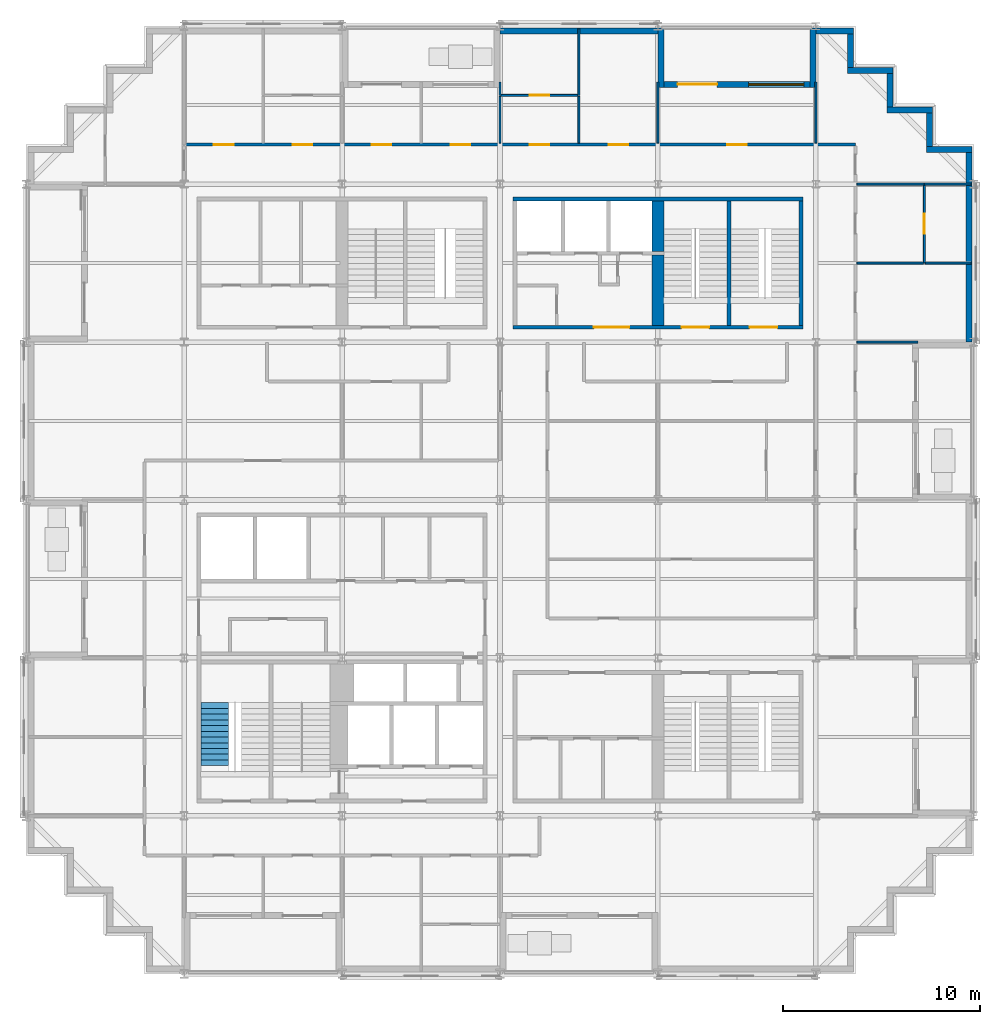
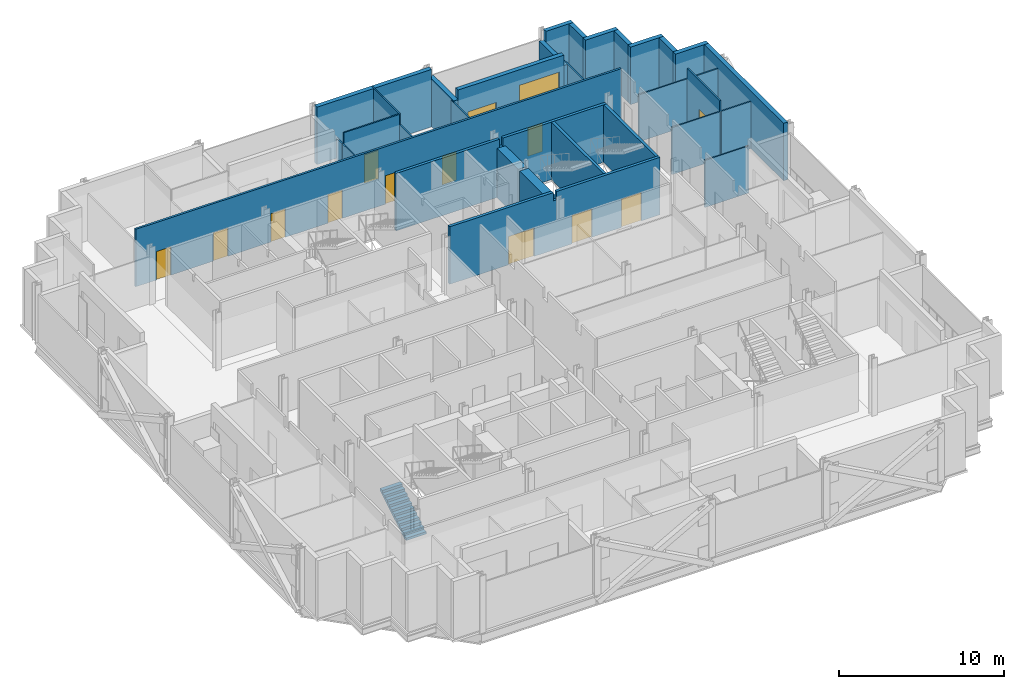
# One storey, part 11 of 15: 32 walls, 13 doors, 1 stair flight, 1 window, 14 openings, 1 element without a shape of its own.
"""IFC4 building model written with IfcOpenShell, lengths in metres."""

import ifcopenshell
import ifcopenshell.guid

model = None  # the IFC model being written
_history = None  # IfcOwnerHistory: only IFC2X3 demands one
_inside = {}  # id of a spatial element -> (the spatial element, [elements in it])
_under = {}  # id of a project, library or spatial element -> (it, [spatial elements below it])
_declared = {}  # id of a project -> (the project, [libraries it declares])
_typed = {}  # id of a type object -> (the type object, [elements of that type])
_made_of = {}  # id of a material, layer set ... -> (it, [elements and type objects made of it])


def new_model(schema):
    """Start an empty IFC model of exactly this schema.

    Asked for "IFC4X3", IfcOpenShell would pick the latest addendum, in which some entities
    have other attributes; the version numbers below select the first issue.
    IFC2X3 requires an IfcOwnerHistory on every rooted entity: one is made here for all.
    """
    global model, _history
    if schema == "IFC4X3":
        model = ifcopenshell.file(schema_version=(4, 3, 0, 0))
    else:
        model = ifcopenshell.file(schema=schema)
    _inside.clear()
    _under.clear()
    _declared.clear()
    _typed.clear()
    _made_of.clear()
    _history = None
    if model.schema == "IFC2X3":
        org = make("IfcOrganization", Name="unknown")
        user = make(
            "IfcPersonAndOrganization",
            ThePerson=make("IfcPerson", FamilyName="unknown"),
            TheOrganization=org,
        )
        app = make(
            "IfcApplication",
            ApplicationDeveloper=org,
            Version="unknown",
            ApplicationFullName="unknown",
            ApplicationIdentifier="unknown",
        )
        _history = make(
            "IfcOwnerHistory",
            OwningUser=user,
            OwningApplication=app,
            ChangeAction="ADDED",
            CreationDate=0,
        )
    return model


def make(cls, **values):
    """One entity of the class cls with the attributes given. An attribute that is None is left unset."""
    return model.create_entity(
        cls, **{name: value for name, value in values.items() if value is not None}
    )


def rooted(cls, **values):
    """An entity with a GlobalId (a new one), such as an element, a storey or a relation."""
    return make(cls, GlobalId=ifcopenshell.guid.new(), OwnerHistory=_history, **values)


def si_unit(unit_type, name, prefix=None):
    """IfcSIUnit, for example si_unit("LENGTHUNIT", "METRE", prefix="MILLI")."""
    return make("IfcSIUnit", UnitType=unit_type, Prefix=prefix, Name=name)


def assignment(units):
    """IfcUnitAssignment: the units of a project."""
    return None if units is None else make("IfcUnitAssignment", Units=units)


def point(xyz):
    """IfcCartesianPoint."""
    return None if xyz is None else make("IfcCartesianPoint", Coordinates=xyz)


def direction(xyz):
    """IfcDirection."""
    return None if xyz is None else make("IfcDirection", DirectionRatios=xyz)


def frame(location, z_axis=None, x_axis=None):
    """IfcAxis2Placement3D, a coordinate frame: its origin and axes. An axis left out is left unset."""
    return make(
        "IfcAxis2Placement3D",
        Location=point(location),
        Axis=direction(z_axis),
        RefDirection=direction(x_axis),
    )


def frame_2d(location, x_axis=None):
    """IfcAxis2Placement2D, a coordinate frame in the plane: its origin and x axis."""
    return make(
        "IfcAxis2Placement2D", Location=point(location), RefDirection=direction(x_axis)
    )


def origin():
    """The frame at (0, 0, 0) with its axes left unset."""
    return frame((0.0, 0.0, 0.0))


def place(relative_to, where):
    """IfcLocalPlacement: puts the frame where relative to a parent placement (None: the world)."""
    return make(
        "IfcLocalPlacement", PlacementRelTo=relative_to, RelativePlacement=where
    )


def context(
    kind, dimensions, precision=None, world=None, true_north=None, identifier=None
):
    """IfcGeometricRepresentationContext, for example the 3D "Model" context."""
    return make(
        "IfcGeometricRepresentationContext",
        ContextIdentifier=identifier,
        ContextType=kind,
        CoordinateSpaceDimension=dimensions,
        Precision=precision,
        WorldCoordinateSystem=world,
        TrueNorth=true_north,
    )


def subcontext(parent, identifier, kind, view, scale=None):
    """IfcGeometricRepresentationSubContext, for example "Body" below "Model"."""
    return make(
        "IfcGeometricRepresentationSubContext",
        ContextIdentifier=identifier,
        ContextType=kind,
        ParentContext=parent,
        TargetScale=scale,
        TargetView=view,
    )


def project(units=None, contexts=None):
    """IfcProject with its units and contexts."""
    return rooted(
        "IfcProject",
        Name="project",
        RepresentationContexts=contexts,
        UnitsInContext=assignment(units),
    )


def spatial(cls, under=None, at=None, **own):
    """A site, building, storey or space (cls), placed at a placement, below another one or the project."""
    s = rooted(cls, ObjectPlacement=at, **own)
    if under is not None:
        _under.setdefault(under.id(), (under, []))[1].append(s)
    return s


def polyline(points):
    """IfcPolyline through the points."""
    return make("IfcPolyline", Points=[point(p) for p in points])


def profile(cls, at=None, kind="AREA", **sizes):
    """A parametric profile (cls). Its sizes go by their IFC names, for example OverallWidth=200.0."""
    return make(cls, ProfileType=kind, Position=at, **sizes)


def rectangle(**sizes):
    """IfcRectangleProfileDef."""
    return profile("IfcRectangleProfileDef", **sizes)


def outline(outer, holes=None, kind="AREA"):
    """IfcArbitraryClosedProfileDef: a profile drawn as a closed curve; with holes, ...WithVoids."""
    if holes is None:
        return make("IfcArbitraryClosedProfileDef", ProfileType=kind, OuterCurve=outer)
    return make(
        "IfcArbitraryProfileDefWithVoids",
        ProfileType=kind,
        OuterCurve=outer,
        InnerCurves=holes,
    )


def extrude(swept, where, along, depth):
    """IfcExtrudedAreaSolid: the profile swept, set in the frame where, extruded along a direction by depth."""
    return make(
        "IfcExtrudedAreaSolid",
        SweptArea=swept,
        Position=where,
        ExtrudedDirection=direction(along),
        Depth=depth,
    )


def shape(context_of_items, identifier, shape_type, items):
    """IfcShapeRepresentation: the items that make up one representation, for example the "Body"."""
    return make(
        "IfcShapeRepresentation",
        ContextOfItems=context_of_items,
        RepresentationIdentifier=identifier,
        RepresentationType=shape_type,
        Items=items,
    )


def material(Name=None, Category=None):
    """IfcMaterial."""
    return make("IfcMaterial", Name=Name, Category=Category)


def layer(
    of_material, thickness, ventilated=None, Name=None, Category=None, Priority=None
):
    """IfcMaterialLayer: one layer of a wall or slab, of a material (None: an air gap)."""
    return make(
        "IfcMaterialLayer",
        Material=of_material,
        LayerThickness=thickness,
        IsVentilated=ventilated,
        Name=Name,
        Category=Category,
        Priority=Priority,
    )


def layer_set(layers, Name=None):
    """IfcMaterialLayerSet."""
    return make("IfcMaterialLayerSet", MaterialLayers=layers, LayerSetName=Name)


def made_of(thing, what):
    """Note that an element or type object is made of a material, layer set ...; save() writes the relation."""
    if what is not None:
        _made_of.setdefault(what.id(), (what, []))[1].append(thing)
    return thing


def type_object(cls, material=None, **own):
    """A type object (cls), such as IfcWallType, which elements share."""
    return made_of(rooted(cls, **own), material)


def element(
    cls,
    number,
    at=None,
    inside=None,
    cuts=None,
    type_object=None,
    material=None,
    context=None,
    identifier="Body",
    shape_type=None,
    held_by="IfcProductDefinitionShape",
    body=None,
    shapes=None,
    **own,
):
    """One element of the class cls, such as IfcWall. Its Tag is "e" and its number.

    at: its placement. inside: the storey or other place that contains it. cuts: it is an
    opening in that element (IfcRelVoidsElement). A single representation is given by context,
    identifier, shape_type and body (its items); several are given by shapes. held_by: the class
    of the entity that holds the representations. save() writes the other relations.
    """
    e = rooted(cls, Tag="e%d" % number, ObjectPlacement=at, **own)
    if body is not None:
        shapes = [shape(context, identifier, shape_type, body)]
    if shapes is not None:
        e.Representation = make(held_by, Representations=shapes)
    if inside is not None:
        _inside.setdefault(inside.id(), (inside, []))[1].append(e)
    if cuts is not None:
        rooted(
            "IfcRelVoidsElement", RelatingBuildingElement=cuts, RelatedOpeningElement=e
        )
    if type_object is not None:
        _typed.setdefault(type_object.id(), (type_object, []))[1].append(e)
    return made_of(e, material)


def fill(opening, filler):
    """IfcRelFillsElement: the door or window that sits in an opening."""
    return rooted(
        "IfcRelFillsElement",
        RelatingOpeningElement=opening,
        RelatedBuildingElement=filler,
    )


def aggregate(whole, parts):
    """IfcRelAggregates: a whole, such as a stair, and the parts it consists of."""
    return rooted("IfcRelAggregates", RelatingObject=whole, RelatedObjects=parts)


def save(model, path):
    """Write the relations noted so far, then the file.

    IfcRelAggregates (storeys below a building ...), IfcRelContainedInSpatialStructure (elements
    in a storey), IfcRelDefinesByType, IfcRelAssociatesMaterial and IfcRelDeclares: one each for
    every whole, place, type object, material and project.
    """
    for whole, parts in _under.values():
        aggregate(whole, parts)
    for where, things in _inside.values():
        rooted(
            "IfcRelContainedInSpatialStructure",
            RelatedElements=things,
            RelatingStructure=where,
        )
    for kind, things in _typed.values():
        rooted("IfcRelDefinesByType", RelatedObjects=things, RelatingType=kind)
    for what, things in _made_of.values():
        rooted("IfcRelAssociatesMaterial", RelatedObjects=things, RelatingMaterial=what)
    for by, libraries in _declared.values():
        rooted("IfcRelDeclares", RelatingContext=by, RelatedDefinitions=libraries)
    model.write(path)


model = new_model("IFC4")

# Units and contexts
model_context = context("Model", 3, precision=1e-05, world=origin(), true_north=direction((0.0, 1.0)))
body_context = subcontext(model_context, "Body", "Model", "MODEL_VIEW")
ifc_project = project(units=[si_unit("LENGTHUNIT", "METRE"), si_unit("AREAUNIT", "SQUARE_METRE"), si_unit("VOLUMEUNIT", "CUBIC_METRE"), si_unit("PLANEANGLEUNIT", "RADIAN"), si_unit("MASSUNIT", "GRAM", prefix="KILO")], contexts=[model_context])

# Site, building, storey
site_placement = place(None, origin())
site = spatial("IfcSite", under=ifc_project, at=site_placement, CompositionType="ELEMENT")
building_placement = place(site_placement, origin())
building = spatial("IfcBuilding", under=site, at=building_placement, Name="Immortelle Media Tower", CompositionType="ELEMENT")
storey_placement = place(building_placement, frame((0.0, 0.0, 70.0)))
storey = spatial("IfcBuildingStorey", under=building, at=storey_placement, Name="L12", CompositionType="ELEMENT", Elevation=70.0)

# Wall, openings, doors
ifc_material_1 = material(Name="Fire-rated gypsum board", Category="gypsum")
ifc_layer_1 = layer(ifc_material_1, 0.012451171875)
ifc_material_2 = material(Name="Steel ASTM A653 SS Gr 50 stud frame with mineral wool", Category="steel")
ifc_layer_2 = layer(ifc_material_2, 0.125)
ifc_layer_3 = layer(ifc_material_1, 0.012451171875)
ifc_layer_set_1 = layer_set([ifc_layer_1, ifc_layer_2, ifc_layer_3], Name="Steel ASTM A653 SS Gr 50 stud frame with mineral wool")
wall_type_1 = type_object("IfcWallType", Name="Corridor wall 150", PredefinedType="PARTITIONING", material=ifc_layer_set_1)
wall_1_placement = place(storey_placement, frame((8.050048828125, 42.0, 0.0), z_axis=(0.0, 0.0, 1.0), x_axis=(1.0, 0.0, 0.0)))
wall_1 = element("IfcWall", 1, at=wall_1_placement, inside=storey, type_object=wall_type_1, Name="Partition L12-055", PredefinedType="PARTITIONING", context=body_context, shape_type="SweptSolid", body=[
    extrude(rectangle(XDim=33.949951171875, YDim=0.14990234375, at=frame_2d((16.97509765625, 0.0))), origin(), (0.0, 0.0, 1.0), 4.25),
])
opening_1_placement = place(wall_1_placement, frame((9.449951171875, 0.0, 0.0)))
opening_1 = element("IfcOpeningElement", 2, at=opening_1_placement, cuts=wall_1, Name="Opening N3-F032", PredefinedType="OPENING", context=body_context, shape_type="SweptSolid", body=[
    extrude(rectangle(XDim=1.0, YDim=2.10009765625, at=frame_2d((0.5, 1.050048828125))), frame((0.0, 0.0849609375, 0.0), z_axis=(0.0, -1.0, 0.0), x_axis=(1.0, 0.0, 0.0)), (0.0, 0.0, 1.0), 0.169921875),
])
opening_2_placement = place(wall_1_placement, frame((13.449951171875, 0.0, 0.0)))
opening_2 = element("IfcOpeningElement", 3, at=opening_2_placement, cuts=wall_1, Name="Opening N3-F033", PredefinedType="OPENING", context=body_context, shape_type="SweptSolid", body=[
    extrude(rectangle(XDim=1.0, YDim=2.10009765625, at=frame_2d((0.5, 1.050048828125))), frame((0.0, 0.0849609375, 0.0), z_axis=(0.0, -1.0, 0.0), x_axis=(1.0, 0.0, 0.0)), (0.0, 0.0, 1.0), 0.169921875),
])
opening_3_placement = place(wall_1_placement, frame((27.449951171875, 0.0, 0.0)))
opening_3 = element("IfcOpeningElement", 4, at=opening_3_placement, cuts=wall_1, Name="Opening N3-F034", PredefinedType="OPENING", context=body_context, shape_type="SweptSolid", body=[
    extrude(rectangle(XDim=1.0, YDim=2.10009765625, at=frame_2d((0.5, 1.050048828125))), frame((0.0, 0.0849609375, 0.0), z_axis=(0.0, -1.0, 0.0), x_axis=(1.0, 0.0, 0.0)), (0.0, 0.0, 1.0), 0.169921875),
])
opening_4_placement = place(wall_1_placement, frame((1.449951171875, 0.0, 0.0)))
opening_4 = element("IfcOpeningElement", 5, at=opening_4_placement, cuts=wall_1, Name="Opening N3-F035", PredefinedType="OPENING", context=body_context, shape_type="SweptSolid", body=[
    extrude(rectangle(XDim=1.0, YDim=2.10009765625, at=frame_2d((0.5, 1.050048828125))), frame((0.0, 0.0849609375, 0.0), z_axis=(0.0, -1.0, 0.0), x_axis=(1.0, 0.0, 0.0)), (0.0, 0.0, 1.0), 0.169921875),
])
opening_5_placement = place(wall_1_placement, frame((5.449951171875, 0.0, 0.0)))
opening_5 = element("IfcOpeningElement", 6, at=opening_5_placement, cuts=wall_1, Name="Opening N3-F036", PredefinedType="OPENING", context=body_context, shape_type="SweptSolid", body=[
    extrude(rectangle(XDim=1.0, YDim=2.10009765625, at=frame_2d((0.5, 1.050048828125))), frame((0.0, 0.0849609375, 0.0), z_axis=(0.0, -1.0, 0.0), x_axis=(1.0, 0.0, 0.0)), (0.0, 0.0, 1.0), 0.169921875),
])
opening_6_placement = place(wall_1_placement, frame((17.449951171875, 0.0, 0.0)))
opening_6 = element("IfcOpeningElement", 7, at=opening_6_placement, cuts=wall_1, Name="Opening N3-F038", PredefinedType="OPENING", context=body_context, shape_type="SweptSolid", body=[
    extrude(rectangle(XDim=1.0, YDim=2.10009765625, at=frame_2d((0.5, 1.050048828125))), frame((0.0, 0.0849609375, 0.0), z_axis=(0.0, -1.0, 0.0), x_axis=(1.0, 0.0, 0.0)), (0.0, 0.0, 1.0), 0.169921875),
])
opening_7_placement = place(wall_1_placement, frame((21.449951171875, 0.0, 0.0)))
opening_7 = element("IfcOpeningElement", 8, at=opening_7_placement, cuts=wall_1, Name="Opening N3-F040", PredefinedType="OPENING", context=body_context, shape_type="SweptSolid", body=[
    extrude(rectangle(XDim=1.0, YDim=2.10009765625, at=frame_2d((0.5, 1.050048828125))), frame((0.0, 0.0849609375, 0.0), z_axis=(0.0, -1.0, 0.0), x_axis=(1.0, 0.0, 0.0)), (0.0, 0.0, 1.0), 0.169921875),
])
ifc_material_3 = material(Name="Timber veneered door leaf, galvanised steel frame ASTM A653", Category="steel")
door_type_1 = type_object("IfcDoorType", Name="Room door 1000 x 2100", OperationType="NOTDEFINED", PredefinedType="DOOR", material=ifc_material_3)
door_1_placement = place(opening_1_placement, origin())
door_1 = element("IfcDoor", 9, at=door_1_placement, inside=storey, type_object=door_type_1, Name="Door N3-F032", OperationType="SINGLE_SWING_LEFT", OverallHeight=2.10009765625, OverallWidth=1.0, PredefinedType="DOOR", context=body_context, shape_type="SweptSolid", body=[
    extrude(rectangle(XDim=1.0, YDim=2.10009765625, at=frame_2d((0.5, 1.050048828125))), frame((0.0, 0.02490234375, 0.0), z_axis=(0.0, -1.0, 0.0), x_axis=(1.0, 0.0, 0.0)), (0.0, 0.0, 1.0), 0.050048828125),
])
fill(opening_1, door_1)
door_2_placement = place(opening_2_placement, origin())
door_2 = element("IfcDoor", 10, at=door_2_placement, inside=storey, type_object=door_type_1, Name="Door N3-F033", OperationType="SINGLE_SWING_LEFT", OverallHeight=2.10009765625, OverallWidth=1.0, PredefinedType="DOOR", context=body_context, shape_type="SweptSolid", body=[
    extrude(rectangle(XDim=1.0, YDim=2.10009765625, at=frame_2d((0.5, 1.050048828125))), frame((0.0, 0.02490234375, 0.0), z_axis=(0.0, -1.0, 0.0), x_axis=(1.0, 0.0, 0.0)), (0.0, 0.0, 1.0), 0.050048828125),
])
fill(opening_2, door_2)
door_3_placement = place(opening_3_placement, origin())
door_3 = element("IfcDoor", 11, at=door_3_placement, inside=storey, type_object=door_type_1, Name="Door N3-F034", OperationType="SINGLE_SWING_RIGHT", OverallHeight=2.10009765625, OverallWidth=1.0, PredefinedType="DOOR", context=body_context, shape_type="SweptSolid", body=[
    extrude(rectangle(XDim=1.0, YDim=2.10009765625, at=frame_2d((0.5, 1.050048828125))), frame((0.0, 0.02490234375, 0.0), z_axis=(0.0, -1.0, 0.0), x_axis=(1.0, 0.0, 0.0)), (0.0, 0.0, 1.0), 0.050048828125),
])
fill(opening_3, door_3)
door_4_placement = place(opening_4_placement, origin())
door_4 = element("IfcDoor", 12, at=door_4_placement, inside=storey, type_object=door_type_1, Name="Door N3-F035", OperationType="SINGLE_SWING_LEFT", OverallHeight=2.10009765625, OverallWidth=1.0, PredefinedType="DOOR", context=body_context, shape_type="SweptSolid", body=[
    extrude(rectangle(XDim=1.0, YDim=2.10009765625, at=frame_2d((0.5, 1.050048828125))), frame((0.0, 0.02490234375, 0.0), z_axis=(0.0, -1.0, 0.0), x_axis=(1.0, 0.0, 0.0)), (0.0, 0.0, 1.0), 0.050048828125),
])
fill(opening_4, door_4)
door_5_placement = place(opening_5_placement, origin())
door_5 = element("IfcDoor", 13, at=door_5_placement, inside=storey, type_object=door_type_1, Name="Door N3-F036", OperationType="SINGLE_SWING_LEFT", OverallHeight=2.10009765625, OverallWidth=1.0, PredefinedType="DOOR", context=body_context, shape_type="SweptSolid", body=[
    extrude(rectangle(XDim=1.0, YDim=2.10009765625, at=frame_2d((0.5, 1.050048828125))), frame((0.0, 0.02490234375, 0.0), z_axis=(0.0, -1.0, 0.0), x_axis=(1.0, 0.0, 0.0)), (0.0, 0.0, 1.0), 0.050048828125),
])
fill(opening_5, door_5)
door_6_placement = place(opening_6_placement, origin())
door_6 = element("IfcDoor", 14, at=door_6_placement, inside=storey, type_object=door_type_1, Name="Door N3-F038", OperationType="SINGLE_SWING_LEFT", OverallHeight=2.10009765625, OverallWidth=1.0, PredefinedType="DOOR", context=body_context, shape_type="SweptSolid", body=[
    extrude(rectangle(XDim=1.0, YDim=2.10009765625, at=frame_2d((0.5, 1.050048828125))), frame((0.0, 0.02490234375, 0.0), z_axis=(0.0, -1.0, 0.0), x_axis=(1.0, 0.0, 0.0)), (0.0, 0.0, 1.0), 0.050048828125),
])
fill(opening_6, door_6)
door_7_placement = place(opening_7_placement, origin())
door_7 = element("IfcDoor", 15, at=door_7_placement, inside=storey, type_object=door_type_1, Name="Door N3-F040", OperationType="SINGLE_SWING_RIGHT", OverallHeight=2.10009765625, OverallWidth=1.0, PredefinedType="DOOR", context=body_context, shape_type="SweptSolid", body=[
    extrude(rectangle(XDim=1.0, YDim=2.10009765625, at=frame_2d((0.5, 1.050048828125))), frame((0.0, 0.02490234375, 0.0), z_axis=(0.0, -1.0, 0.0), x_axis=(1.0, 0.0, 0.0)), (0.0, 0.0, 1.0), 0.050048828125),
])
fill(opening_7, door_7)

# Walls
ifc_material_4 = material(Name="Pale aluminium cladding panel", Category="aluminium")
ifc_layer_4 = layer(ifc_material_4, 0.030029296875)
ifc_layer_5 = layer(ifc_material_2, 0.257568359375)
ifc_material_5 = material(Name="Moisture-resistant gypsum board", Category="gypsum")
ifc_layer_6 = layer(ifc_material_5, 0.012451171875)
ifc_layer_set_2 = layer_set([ifc_layer_4, ifc_layer_5, ifc_layer_6], Name="Steel ASTM A653 SS Gr 50 stud frame with mineral wool")
wall_type_2 = type_object("IfcWallType", Name="Facade wall 300", PredefinedType="SOLIDWALL", material=ifc_layer_set_2)
wall_2_placement = place(storey_placement, frame((47.75, 32.0, 0.0), z_axis=(0.0, 0.0, 1.0), x_axis=(0.0, 1.0, 0.0)))
element("IfcWall", 16, at=wall_2_placement, inside=storey, type_object=wall_type_2, Name="Facade wall L12 E14", PredefinedType="SOLIDWALL", context=body_context, shape_type="SweptSolid", body=[
    extrude(rectangle(XDim=9.60009765625, YDim=0.300048828125, at=frame_2d((4.800048828125, 0.0))), origin(), (0.0, 0.0, 1.0), 4.25),
])
wall_3_placement = place(storey_placement, frame((47.89990234375, 41.75, 0.0), z_axis=(0.0, 0.0, 1.0), x_axis=(-1.0, 0.0, 0.0)))
element("IfcWall", 17, at=wall_3_placement, inside=storey, type_object=wall_type_2, Name="Facade wall L12 N15", PredefinedType="SOLIDWALL", context=body_context, shape_type="SweptSolid", body=[
    extrude(rectangle(XDim=2.2998046875, YDim=0.300048828125, at=frame_2d((1.14990234375, 0.0))), origin(), (0.0, 0.0, 1.0), 4.25),
])
wall_4_placement = place(storey_placement, frame((45.75, 41.89990234375, 0.0), z_axis=(0.0, 0.0, 1.0), x_axis=(0.0, 1.0, 0.0)))
element("IfcWall", 18, at=wall_4_placement, inside=storey, type_object=wall_type_2, Name="Facade wall L12 E16", PredefinedType="SOLIDWALL", context=body_context, shape_type="SweptSolid", body=[
    extrude(rectangle(XDim=1.7001953125, YDim=0.300048828125, at=frame_2d((0.85009765625, 0.0))), origin(), (0.0, 0.0, 1.0), 4.25),
])
wall_5_placement = place(storey_placement, frame((45.89990234375, 43.75, 0.0), z_axis=(0.0, 0.0, 1.0), x_axis=(-1.0, 0.0, 0.0)))
element("IfcWall", 19, at=wall_5_placement, inside=storey, type_object=wall_type_2, Name="Facade wall L12 N17", PredefinedType="SOLIDWALL", context=body_context, shape_type="SweptSolid", body=[
    extrude(rectangle(XDim=2.2998046875, YDim=0.300048828125, at=frame_2d((1.14990234375, 0.0))), origin(), (0.0, 0.0, 1.0), 4.25),
])
wall_6_placement = place(storey_placement, frame((43.75, 43.89990234375, 0.0), z_axis=(0.0, 0.0, 1.0), x_axis=(0.0, 1.0, 0.0)))
element("IfcWall", 20, at=wall_6_placement, inside=storey, type_object=wall_type_2, Name="Facade wall L12 E18", PredefinedType="SOLIDWALL", context=body_context, shape_type="SweptSolid", body=[
    extrude(rectangle(XDim=1.7001953125, YDim=0.300048828125, at=frame_2d((0.85009765625, 0.0))), origin(), (0.0, 0.0, 1.0), 4.25),
])
wall_7_placement = place(storey_placement, frame((43.89990234375, 45.75, 0.0), z_axis=(0.0, 0.0, 1.0), x_axis=(-1.0, 0.0, 0.0)))
element("IfcWall", 21, at=wall_7_placement, inside=storey, type_object=wall_type_2, Name="Facade wall L12 N19", PredefinedType="SOLIDWALL", context=body_context, shape_type="SweptSolid", body=[
    extrude(rectangle(XDim=2.2998046875, YDim=0.300048828125, at=frame_2d((1.14990234375, 0.0))), origin(), (0.0, 0.0, 1.0), 4.25),
])
wall_8_placement = place(storey_placement, frame((41.75, 45.89990234375, 0.0), z_axis=(0.0, 0.0, 1.0), x_axis=(0.0, 1.0, 0.0)))
element("IfcWall", 22, at=wall_8_placement, inside=storey, type_object=wall_type_2, Name="Facade wall L12 E20", PredefinedType="SOLIDWALL", context=body_context, shape_type="SweptSolid", body=[
    extrude(rectangle(XDim=1.7001953125, YDim=0.300048828125, at=frame_2d((0.85009765625, 0.0))), origin(), (0.0, 0.0, 1.0), 4.25),
])
wall_9_placement = place(storey_placement, frame((41.89990234375, 47.75, 0.0), z_axis=(0.0, 0.0, 1.0), x_axis=(-1.0, 0.0, 0.0)))
element("IfcWall", 23, at=wall_9_placement, inside=storey, type_object=wall_type_2, Name="Facade wall L12 N21", PredefinedType="SOLIDWALL", context=body_context, shape_type="SweptSolid", body=[
    extrude(rectangle(XDim=1.89990234375, YDim=0.300048828125, at=frame_2d((0.949951171875, 0.0))), origin(), (0.0, 0.0, 1.0), 4.25),
])

# Wall, openings, door, window
wall_10_placement = place(storey_placement, frame((39.699951171875, 45.050048828125, 0.0), z_axis=(0.0, 0.0, 1.0), x_axis=(-1.0, 0.0, 0.0)))
wall_10 = element("IfcWall", 24, at=wall_10_placement, inside=storey, type_object=wall_type_2, Name="Loggia wall L12 N21", PredefinedType="SOLIDWALL", context=body_context, shape_type="SweptSolid", body=[
    extrude(rectangle(XDim=7.39990234375, YDim=0.300048828125, at=frame_2d((3.699951171875, 0.0))), origin(), (0.0, 0.0, 1.0), 4.25),
])
opening_8_placement = place(wall_10_placement, frame((0.300048828125, 0.0, 0.89990234375)))
opening_8 = element("IfcOpeningElement", 25, at=opening_8_placement, cuts=wall_10, Name="Opening W1", PredefinedType="OPENING", context=body_context, shape_type="SweptSolid", body=[
    extrude(rectangle(XDim=2.800048828125, YDim=2.199951171875, at=frame_2d((1.39990234375, 1.10009765625))), frame((0.0, 0.159912109375, 0.0), z_axis=(0.0, -1.0, 0.0), x_axis=(1.0, 0.0, 0.0)), (0.0, 0.0, 1.0), 0.320068359375),
])
opening_9_placement = place(wall_10_placement, frame((4.699951171875, 0.0, 0.0)))
opening_9 = element("IfcOpeningElement", 26, at=opening_9_placement, cuts=wall_10, Name="Opening N3-E007", PredefinedType="OPENING", context=body_context, shape_type="SweptSolid", body=[
    extrude(rectangle(XDim=2.0, YDim=2.39990234375, at=frame_2d((1.0, 1.199951171875))), frame((0.0, 0.159912109375, 0.0), z_axis=(0.0, -1.0, 0.0), x_axis=(1.0, 0.0, 0.0)), (0.0, 0.0, 1.0), 0.320068359375),
])
ifc_material_6 = material(Name="Aluminium frame, glazed leaves", Category="aluminium")
door_type_2 = type_object("IfcDoorType", Name="Loggia door 2000 x 2400", OperationType="DOUBLE_DOOR_SINGLE_SWING", PredefinedType="DOOR", material=ifc_material_6)
door_8_placement = place(opening_9_placement, origin())
door_8 = element("IfcDoor", 27, at=door_8_placement, inside=storey, type_object=door_type_2, Name="Door N3-E007", OperationType="DOUBLE_DOOR_SINGLE_SWING", OverallHeight=2.39990234375, OverallWidth=2.0, PredefinedType="DOOR", context=body_context, shape_type="SweptSolid", body=[
    extrude(rectangle(XDim=2.0, YDim=2.39990234375, at=frame_2d((1.0, 1.199951171875))), frame((0.0, 0.02490234375, 0.0), z_axis=(0.0, -1.0, 0.0), x_axis=(1.0, 0.0, 0.0)), (0.0, 0.0, 1.0), 0.050048828125),
])
fill(opening_9, door_8)
ifc_material_7 = material(Name="Aluminium frame", Category="aluminium")
window_type = type_object("IfcWindowType", Name="Window 2800 x 2200", PartitioningType="SINGLE_PANEL", PredefinedType="WINDOW", material=ifc_material_7)
window_placement = place(opening_8_placement, origin())
window = element("IfcWindow", 28, at=window_placement, inside=storey, type_object=window_type, Name="Window L12 L12-R21-B0", OverallHeight=2.199951171875, OverallWidth=2.800048828125, PartitioningType="SINGLE_PANEL", PredefinedType="WINDOW", context=body_context, shape_type="SweptSolid", body=[
    extrude(rectangle(XDim=2.800048828125, YDim=2.199951171875, at=frame_2d((1.39990234375, 1.10009765625))), frame((0.0, 0.030029296875, 0.0), z_axis=(0.0, -1.0, 0.0), x_axis=(1.0, 0.0, 0.0)), (0.0, 0.0, 1.0), 0.06005859375),
])
fill(opening_8, window)

# Walls
wall_11_placement = place(storey_placement, frame((39.85009765625, 47.89990234375, 0.0), z_axis=(0.0, 0.0, 1.0), x_axis=(0.0, -1.0, 0.0)))
element("IfcWall", 29, at=wall_11_placement, inside=storey, type_object=wall_type_2, Name="Loggia cheek wall L12 N", PredefinedType="SOLIDWALL", context=body_context, shape_type="SweptSolid", body=[
    extrude(rectangle(XDim=3.0, YDim=0.300048828125, at=frame_2d((1.5, 0.0))), origin(), (0.0, 0.0, 1.0), 3.468994140625),
])
wall_12_placement = place(storey_placement, frame((32.14990234375, 47.89990234375, 0.0), z_axis=(0.0, 0.0, 1.0), x_axis=(0.0, -1.0, 0.0)))
element("IfcWall", 30, at=wall_12_placement, inside=storey, type_object=wall_type_2, Name="Loggia cheek wall L12 N", PredefinedType="SOLIDWALL", context=body_context, shape_type="SweptSolid", body=[
    extrude(rectangle(XDim=3.0, YDim=0.300048828125, at=frame_2d((1.5, 0.0))), origin(), (0.0, 0.0, 1.0), 3.555908203125),
])
wall_13_placement = place(storey_placement, frame((32.0, 47.75, 0.0), z_axis=(0.0, 0.0, 1.0), x_axis=(-1.0, 0.0, 0.0)))
element("IfcWall", 31, at=wall_13_placement, inside=storey, type_object=wall_type_2, Name="Facade wall L12 N21", PredefinedType="SOLIDWALL", context=body_context, shape_type="SweptSolid", body=[
    extrude(rectangle(XDim=8.0, YDim=0.300048828125, at=frame_2d((4.0, 0.0))), origin(), (0.0, 0.0, 1.0), 4.25),
])
ifc_material_8 = material(Name="Gypsum board", Category="gypsum")
ifc_layer_7 = layer(ifc_material_8, 0.012451171875)
ifc_layer_8 = layer(ifc_material_2, 0.074951171875)
ifc_layer_9 = layer(ifc_material_8, 0.012451171875)
ifc_layer_set_3 = layer_set([ifc_layer_7, ifc_layer_8, ifc_layer_9], Name="Steel ASTM A653 SS Gr 50 stud frame with mineral wool")
wall_type_3 = type_object("IfcWallType", Name="Partition 100", PredefinedType="PARTITIONING", material=ifc_layer_set_3)
wall_14_placement = place(storey_placement, frame((42.074951171875, 32.0, 0.0), z_axis=(0.0, 0.0, 1.0), x_axis=(1.0, 0.0, 0.0)))
element("IfcWall", 32, at=wall_14_placement, inside=storey, type_object=wall_type_3, Name="Partition L12-045", PredefinedType="PARTITIONING", context=body_context, shape_type="SweptSolid", body=[
    extrude(rectangle(XDim=3.094970703125, YDim=0.10009765625, at=frame_2d((1.54736328125, 0.0))), origin(), (0.0, 0.0, 1.0), 3.469970703125),
])
wall_15_placement = place(storey_placement, frame((42.074951171875, 36.0, 0.0), z_axis=(0.0, 0.0, 1.0), x_axis=(1.0, 0.0, 0.0)))
element("IfcWall", 33, at=wall_15_placement, inside=storey, type_object=wall_type_3, Name="Partition L12-046", PredefinedType="PARTITIONING", context=body_context, shape_type="SweptSolid", body=[
    extrude(rectangle(XDim=3.375, YDim=0.10009765625, at=frame_2d((1.6875, 0.0))), origin(), (0.0, 0.0, 1.0), 3.469970703125),
])
wall_16_placement = place(storey_placement, frame((45.550048828125, 36.0, 0.0), z_axis=(0.0, 0.0, 1.0), x_axis=(1.0, 0.0, 0.0)))
element("IfcWall", 34, at=wall_16_placement, inside=storey, type_object=wall_type_3, Name="Partition L12-047", PredefinedType="PARTITIONING", context=body_context, shape_type="SweptSolid", body=[
    extrude(rectangle(XDim=2.320068359375, YDim=0.10009765625, at=frame_2d((1.16015625, 0.0))), origin(), (0.0, 0.0, 1.0), 3.469970703125),
])

# Wall, opening, door
wall_17_placement = place(storey_placement, frame((45.5, 36.0, 0.0), z_axis=(0.0, 0.0, 1.0), x_axis=(0.0, 1.0, 0.0)))
wall_17 = element("IfcWall", 35, at=wall_17_placement, inside=storey, type_object=wall_type_3, Name="Partition L12-048", PredefinedType="PARTITIONING", context=body_context, shape_type="SweptSolid", body=[
    extrude(rectangle(XDim=3.949951171875, YDim=0.10009765625, at=frame_2d((1.97509765625, 0.0))), origin(), (0.0, 0.0, 1.0), 4.25),
])
opening_10_placement = place(wall_17_placement, frame((1.5, 0.0, 0.0)))
opening_10 = element("IfcOpeningElement", 36, at=opening_10_placement, cuts=wall_17, Name="Opening N3-F028", PredefinedType="OPENING", context=body_context, shape_type="SweptSolid", body=[
    extrude(rectangle(XDim=1.0, YDim=2.10009765625, at=frame_2d((0.5, 1.050048828125))), frame((0.0, 0.06005859375, 0.0), z_axis=(0.0, -1.0, 0.0), x_axis=(1.0, 0.0, 0.0)), (0.0, 0.0, 1.0), 0.1201171875),
])
door_9_placement = place(opening_10_placement, origin())
door_9 = element("IfcDoor", 37, at=door_9_placement, inside=storey, type_object=door_type_1, Name="Door N3-F028", OperationType="SINGLE_SWING_LEFT", OverallHeight=2.10009765625, OverallWidth=1.0, PredefinedType="DOOR", context=body_context, shape_type="SweptSolid", body=[
    extrude(rectangle(XDim=1.0, YDim=2.10009765625, at=frame_2d((0.5, 1.050048828125))), frame((0.0, 0.02490234375, 0.0), z_axis=(0.0, -1.0, 0.0), x_axis=(1.0, 0.0, 0.0)), (0.0, 0.0, 1.0), 0.050048828125),
])
fill(opening_10, door_9)

# Walls
wall_18_placement = place(storey_placement, frame((42.074951171875, 40.0, 0.0), z_axis=(0.0, 0.0, 1.0), x_axis=(1.0, 0.0, 0.0)))
element("IfcWall", 38, at=wall_18_placement, inside=storey, type_object=wall_type_3, Name="Partition L12-052", PredefinedType="PARTITIONING", context=body_context, shape_type="SweptSolid", body=[
    extrude(rectangle(XDim=3.425048828125, YDim=0.10009765625, at=frame_2d((1.71240234375, 0.0))), origin(), (0.0, 0.0, 1.0), 3.469970703125),
])
wall_19_placement = place(storey_placement, frame((45.5, 40.0, 0.0), z_axis=(0.0, 0.0, 1.0), x_axis=(1.0, 0.0, 0.0)))
element("IfcWall", 39, at=wall_19_placement, inside=storey, type_object=wall_type_3, Name="Partition L12-053", PredefinedType="PARTITIONING", context=body_context, shape_type="SweptSolid", body=[
    extrude(rectangle(XDim=2.3701171875, YDim=0.10009765625, at=frame_2d((1.18505859375, 0.0))), origin(), (0.0, 0.0, 1.0), 3.469970703125),
])
for number, where, z_axis, x_axis, name in (
    (40, (24.0, 42.074951171875, 0.0), (0.0, 0.0, 1.0), (0.0, 1.0, 0.0), "Partition L12-060"),
    (41, (28.0, 42.074951171875, 0.0), (0.0, 0.0, 1.0), (0.0, 1.0, 0.0), "Partition L12-061"),
):
    element("IfcWall", number, at=place(storey_placement, frame(where, z_axis=z_axis, x_axis=x_axis)), inside=storey, type_object=wall_type_3, Name=name, PredefinedType="PARTITIONING", context=body_context, shape_type="SweptSolid", body=[
        extrude(rectangle(XDim=2.375, YDim=0.10009765625, at=frame_2d((1.1875, 0.0))), origin(), (0.0, 0.0, 1.0), 3.469970703125),
    ])
for number, where, z_axis, x_axis, name in (
    (42, (32.0, 42.074951171875, 0.0), (0.0, 0.0, 1.0), (0.0, 1.0, 0.0), "Partition L12-062"),
    (43, (40.0, 42.074951171875, 0.0), (0.0, 0.0, 1.0), (0.0, 1.0, 0.0), "Partition L12-063"),
):
    element("IfcWall", number, at=place(storey_placement, frame(where, z_axis=z_axis, x_axis=x_axis)), inside=storey, type_object=wall_type_3, Name=name, PredefinedType="PARTITIONING", context=body_context, shape_type="SweptSolid", body=[
        extrude(rectangle(XDim=3.094970703125, YDim=0.10009765625, at=frame_2d((1.54736328125, 0.0))), origin(), (0.0, 0.0, 1.0), 3.469970703125),
    ])

# Wall, opening, door
wall_20_placement = place(storey_placement, frame((24.050048828125, 44.5, 0.0), z_axis=(0.0, 0.0, 1.0), x_axis=(1.0, 0.0, 0.0)))
wall_20 = element("IfcWall", 44, at=wall_20_placement, inside=storey, type_object=wall_type_3, Name="Partition L12-067", PredefinedType="PARTITIONING", context=body_context, shape_type="SweptSolid", body=[
    extrude(rectangle(XDim=3.89990234375, YDim=0.10009765625, at=frame_2d((1.949951171875, 0.0))), origin(), (0.0, 0.0, 1.0), 4.25),
])
opening_11_placement = place(wall_20_placement, frame((2.449951171875, 0.0, 0.0), z_axis=(0.0, 0.0, 1.0), x_axis=(-1.0, 0.0, 0.0)))
opening_11 = element("IfcOpeningElement", 45, at=opening_11_placement, cuts=wall_20, Name="Opening N3-F039", PredefinedType="OPENING", context=body_context, shape_type="SweptSolid", body=[
    extrude(rectangle(XDim=1.0, YDim=2.10009765625, at=frame_2d((0.5, 1.050048828125))), frame((0.0, 0.06005859375, 0.0), z_axis=(0.0, -1.0, 0.0), x_axis=(1.0, 0.0, 0.0)), (0.0, 0.0, 1.0), 0.1201171875),
])
door_10_placement = place(opening_11_placement, origin())
door_10 = element("IfcDoor", 46, at=door_10_placement, inside=storey, type_object=door_type_1, Name="Door N3-F039", OperationType="SINGLE_SWING_RIGHT", OverallHeight=2.10009765625, OverallWidth=1.0, PredefinedType="DOOR", context=body_context, shape_type="SweptSolid", body=[
    extrude(rectangle(XDim=1.0, YDim=2.10009765625, at=frame_2d((0.5, 1.050048828125))), frame((0.0, 0.02490234375, 0.0), z_axis=(0.0, -1.0, 0.0), x_axis=(1.0, 0.0, 0.0)), (0.0, 0.0, 1.0), 0.050048828125),
])
fill(opening_11, door_10)

# Walls
wall_21_placement = place(storey_placement, frame((24.0, 44.5, 0.0), z_axis=(0.0, 0.0, 1.0), x_axis=(0.0, 1.0, 0.0)))
element("IfcWall", 47, at=wall_21_placement, inside=storey, type_object=wall_type_3, Name="Partition L12-068", PredefinedType="PARTITIONING", context=body_context, shape_type="SweptSolid", body=[
    extrude(rectangle(XDim=0.669921875, YDim=0.10009765625, at=frame_2d((0.3349609375, 0.0))), origin(), (0.0, 0.0, 1.0), 3.469970703125),
])
wall_22_placement = place(storey_placement, frame((28.0, 44.5, 0.0), z_axis=(0.0, 0.0, 1.0), x_axis=(0.0, 1.0, 0.0)))
element("IfcWall", 48, at=wall_22_placement, inside=storey, type_object=wall_type_3, Name="Partition L12-069", PredefinedType="PARTITIONING", context=body_context, shape_type="SweptSolid", body=[
    extrude(rectangle(XDim=3.3701171875, YDim=0.10009765625, at=frame_2d((1.68505859375, 0.0))), origin(), (0.0, 0.0, 1.0), 4.25),
])

# Wall, openings, doors
ifc_material_9 = material(Name="Concrete C60", Category="concrete")
ifc_layer_10 = layer(ifc_material_9, 0.199951171875)
ifc_layer_set_4 = layer_set([ifc_layer_10], Name="Concrete C60")
wall_type_4 = type_object("IfcWallType", Name="Stair shaft wall 200", PredefinedType="PARTITIONING", material=ifc_layer_set_4)
wall_23_placement = place(storey_placement, frame((24.64990234375, 32.75, 0.0), z_axis=(0.0, 0.0, 1.0), x_axis=(1.0, 0.0, 0.0)))
wall_23 = element("IfcWall", 49, at=wall_23_placement, inside=storey, type_object=wall_type_4, Name="Stair shaft wall NE", PredefinedType="PARTITIONING", context=body_context, shape_type="SweptSolid", body=[
    extrude(outline(polyline([(0.0, 0.0), (14.7001953125, 0.0), (14.699951171875, 4.25), (7.469482421875, 4.25), (7.468505859375, 3.632080078125), (7.2314453125, 3.632080078125), (7.23046875, 4.25), (0.0, 4.25), (0.0, 0.0)])), frame((0.0, 0.10009765625, 0.0), z_axis=(0.0, -1.0, 0.0), x_axis=(1.0, 0.0, 0.0)), (0.0, 0.0, 1.0), 0.199951171875),
])
opening_12_placement = place(wall_23_placement, frame((4.10009765625, 0.0, 0.0)))
opening_12 = element("IfcOpeningElement", 50, at=opening_12_placement, cuts=wall_23, Name="Opening N3-K032", PredefinedType="OPENING", context=body_context, shape_type="SweptSolid", body=[
    extrude(rectangle(XDim=1.800048828125, YDim=2.10009765625, at=frame_2d((0.89990234375, 1.050048828125))), frame((0.0, 0.10986328125, 0.0), z_axis=(0.0, -1.0, 0.0), x_axis=(1.0, 0.0, 0.0)), (0.0, 0.0, 1.0), 0.219970703125),
])
opening_13_placement = place(wall_23_placement, frame((8.550048828125, 0.0, 0.0)))
opening_13 = element("IfcOpeningElement", 51, at=opening_13_placement, cuts=wall_23, Name="Opening N3-K034", PredefinedType="OPENING", context=body_context, shape_type="SweptSolid", body=[
    extrude(rectangle(XDim=1.39990234375, YDim=2.10009765625, at=frame_2d((0.699951171875, 1.050048828125))), frame((0.0, 0.10986328125, 0.0), z_axis=(0.0, -1.0, 0.0), x_axis=(1.0, 0.0, 0.0)), (0.0, 0.0, 1.0), 0.219970703125),
])
opening_14_placement = place(wall_23_placement, frame((12.0, 0.0, 0.0)))
opening_14 = element("IfcOpeningElement", 52, at=opening_14_placement, cuts=wall_23, Name="Opening N3-K035", PredefinedType="OPENING", context=body_context, shape_type="SweptSolid", body=[
    extrude(rectangle(XDim=1.39990234375, YDim=2.10009765625, at=frame_2d((0.699951171875, 1.050048828125))), frame((0.0, 0.10986328125, 0.0), z_axis=(0.0, -1.0, 0.0), x_axis=(1.0, 0.0, 0.0)), (0.0, 0.0, 1.0), 0.219970703125),
])
ifc_material_10 = material(Name="Galvanised steel door leaf and frame ASTM A653", Category="steel")
door_type_3 = type_object("IfcDoorType", Name="Lift lobby door 1800 x 2100", OperationType="DOUBLE_DOOR_SINGLE_SWING", PredefinedType="NOTDEFINED", material=ifc_material_10)
door_11_placement = place(opening_12_placement, origin())
door_11 = element("IfcDoor", 53, at=door_11_placement, inside=storey, type_object=door_type_3, Name="Lift lobby N3-K032", OperationType="DOUBLE_DOOR_SINGLE_SWING", OverallHeight=2.10009765625, OverallWidth=1.800048828125, PredefinedType="NOTDEFINED", context=body_context, shape_type="SweptSolid", body=[
    extrude(rectangle(XDim=1.800048828125, YDim=2.10009765625, at=frame_2d((0.89990234375, 1.050048828125))), frame((0.0, 0.02490234375, 0.0), z_axis=(0.0, -1.0, 0.0), x_axis=(1.0, 0.0, 0.0)), (0.0, 0.0, 1.0), 0.050048828125),
])
fill(opening_12, door_11)
door_type_4 = type_object("IfcDoorType", Name="Stair door 1400 x 2100", OperationType="DOUBLE_DOOR_SINGLE_SWING", PredefinedType="NOTDEFINED", material=ifc_material_10)
door_12_placement = place(opening_13_placement, origin())
door_12 = element("IfcDoor", 54, at=door_12_placement, inside=storey, type_object=door_type_4, Name="Stair N3-K034", OperationType="DOUBLE_DOOR_SINGLE_SWING", OverallHeight=2.10009765625, OverallWidth=1.39990234375, PredefinedType="NOTDEFINED", context=body_context, shape_type="SweptSolid", body=[
    extrude(rectangle(XDim=1.39990234375, YDim=2.10009765625, at=frame_2d((0.699951171875, 1.050048828125))), frame((0.0, 0.02490234375, 0.0), z_axis=(0.0, -1.0, 0.0), x_axis=(1.0, 0.0, 0.0)), (0.0, 0.0, 1.0), 0.050048828125),
])
fill(opening_13, door_12)
door_13_placement = place(opening_14_placement, origin())
door_13 = element("IfcDoor", 55, at=door_13_placement, inside=storey, type_object=door_type_4, Name="Stair N3-K035", OperationType="DOUBLE_DOOR_SINGLE_SWING", OverallHeight=2.10009765625, OverallWidth=1.39990234375, PredefinedType="NOTDEFINED", context=body_context, shape_type="SweptSolid", body=[
    extrude(rectangle(XDim=1.39990234375, YDim=2.10009765625, at=frame_2d((0.699951171875, 1.050048828125))), frame((0.0, 0.02490234375, 0.0), z_axis=(0.0, -1.0, 0.0), x_axis=(1.0, 0.0, 0.0)), (0.0, 0.0, 1.0), 0.050048828125),
])
fill(opening_14, door_13)

# Walls
wall_24_placement = place(storey_placement, frame((24.64990234375, 39.25, 0.0), z_axis=(0.0, 0.0, 1.0), x_axis=(1.0, 0.0, 0.0)))
element("IfcWall", 56, at=wall_24_placement, inside=storey, type_object=wall_type_4, Name="Stair shaft wall NE", PredefinedType="PARTITIONING", context=body_context, shape_type="SweptSolid", body=[
    extrude(outline(polyline([(0.0, 0.0), (14.7001953125, 0.0), (14.699951171875, 4.25), (7.469482421875, 4.25), (7.468505859375, 3.632080078125), (7.2314453125, 3.632080078125), (7.23046875, 4.25), (0.0, 4.25), (0.0, 0.0)])), frame((0.0, 0.10009765625, 0.0), z_axis=(0.0, -1.0, 0.0), x_axis=(1.0, 0.0, 0.0)), (0.0, 0.0, 1.0), 0.199951171875),
])
for number, where, z_axis, x_axis, name in (
    (57, (35.60009765625, 32.85009765625, 0.0), (0.0, 0.0, 1.0), (0.0, 1.0, 0.0), "Stair shaft wall NE"),
    (58, (39.25, 32.85009765625, 0.0), (0.0, 0.0, 1.0), (0.0, 1.0, 0.0), "Stair shaft wall NE"),
):
    element("IfcWall", number, at=place(storey_placement, frame(where, z_axis=z_axis, x_axis=x_axis)), inside=storey, type_object=wall_type_4, Name=name, PredefinedType="PARTITIONING", context=body_context, shape_type="SweptSolid", body=[
        extrude(rectangle(XDim=6.2998046875, YDim=0.199951171875, at=frame_2d((3.14990234375, 0.0))), origin(), (0.0, 0.0, 1.0), 4.25),
    ])
ifc_layer_11 = layer(ifc_material_9, 0.60009765625)
ifc_layer_set_5 = layer_set([ifc_layer_11], Name="Concrete C60")
wall_type_5 = type_object("IfcWallType", Name="Stair shaft wall 600", PredefinedType="PARTITIONING", material=ifc_layer_set_5)
wall_25_placement = place(storey_placement, frame((32.0, 32.85009765625, 0.0), z_axis=(0.0, 0.0, 1.0), x_axis=(0.0, 1.0, 0.0)))
element("IfcWall", 59, at=wall_25_placement, inside=storey, type_object=wall_type_5, Name="Stair shaft wall NE", PredefinedType="PARTITIONING", context=body_context, shape_type="SweptSolid", body=[
    extrude(rectangle(XDim=3.5498046875, YDim=0.60009765625, at=frame_2d((1.77490234375, 0.0))), origin(), (0.0, 0.0, 1.0), 3.632080078125),
])
wall_26_placement = place(storey_placement, frame((32.0, 36.60009765625, 0.0), z_axis=(0.0, 0.0, 1.0), x_axis=(0.0, 1.0, 0.0)))
element("IfcWall", 60, at=wall_26_placement, inside=storey, type_object=wall_type_5, Name="Stair shaft wall NE", PredefinedType="PARTITIONING", context=body_context, shape_type="SweptSolid", body=[
    extrude(rectangle(XDim=2.5498046875, YDim=0.60009765625, at=frame_2d((1.27490234375, 0.0))), origin(), (0.0, 0.0, 1.0), 3.632080078125),
])

# Stair, stair flight
ifc_material_11 = material(Name="Steel ASTM A992 Gr 50", Category="steel")
stair_type = type_object("IfcStairType", Name="Stair with flights", PredefinedType="DOUBLE_RETURN_STAIR", material=ifc_material_11)
stair_placement = place(storey_placement, origin())
stair = element("IfcStair", 61, at=stair_placement, inside=storey, type_object=stair_type, Name="Exit stair SW1", PredefinedType="DOUBLE_RETURN_STAIR")
stair_flight_type = type_object("IfcStairFlightType", Name="Stair flight 1400", PredefinedType="STRAIGHT", material=ifc_material_11)
stair_flight_placement = place(storey_placement, frame((9.550048828125, 10.5400390625, 0.0), z_axis=(0.0, 0.0, 1.0), x_axis=(0.0, 1.0, 0.0)))
stair_flight = element("IfcStairFlight", 62, at=stair_flight_placement, type_object=stair_flight_type, Name="ST SW1 flight 1", NumberOfRisers=12, NumberOfTreads=11, PredefinedType="STRAIGHT", RiserHeight=0.176, TreadLength=0.29, context=body_context, shape_type="SweptSolid", body=[
    extrude(outline(polyline([(0.0, 0.0), (0.0, 0.176025390625), (0.2900390625, 0.176025390625), (0.2900390625, 0.35205078125), (0.580078125, 0.35205078125), (0.580078125, 0.528076171875), (0.8701171875, 0.528076171875), (0.8701171875, 0.7041015625), (1.159912109375, 0.7041015625), (1.159912109375, 0.8798828125), (1.449951171875, 0.8798828125), (1.449951171875, 1.055908203125), (1.739990234375, 1.055908203125), (1.739990234375, 1.23193359375), (2.030029296875, 1.23193359375), (2.030029296875, 1.407958984375), (2.320068359375, 1.407958984375), (2.320068359375, 1.583984375), (2.610107421875, 1.583984375), (2.610107421875, 1.760009765625), (2.89990234375, 1.760009765625), (2.89990234375, 1.93603515625), (3.18994140625, 1.93603515625), (3.18994140625, 2.112060546875), (3.18994140625, 1.7607421875), (0.288818359375, 0.0), (0.0, 0.0)])), frame((0.0, 0.699951171875, 0.0), z_axis=(0.0, -1.0, 0.0), x_axis=(1.0, 0.0, 0.0)), (0.0, 0.0, 1.0), 1.39990234375),
])
aggregate(stair, [stair_flight])

save(model, "model.ifc")
